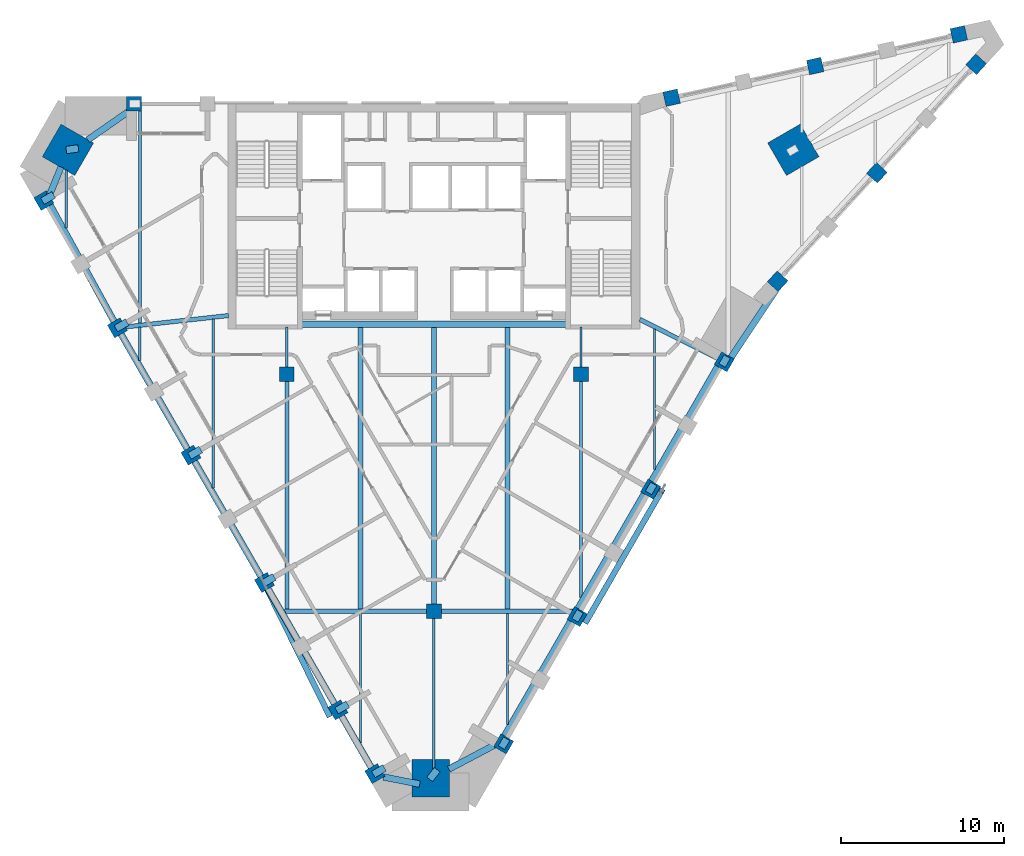
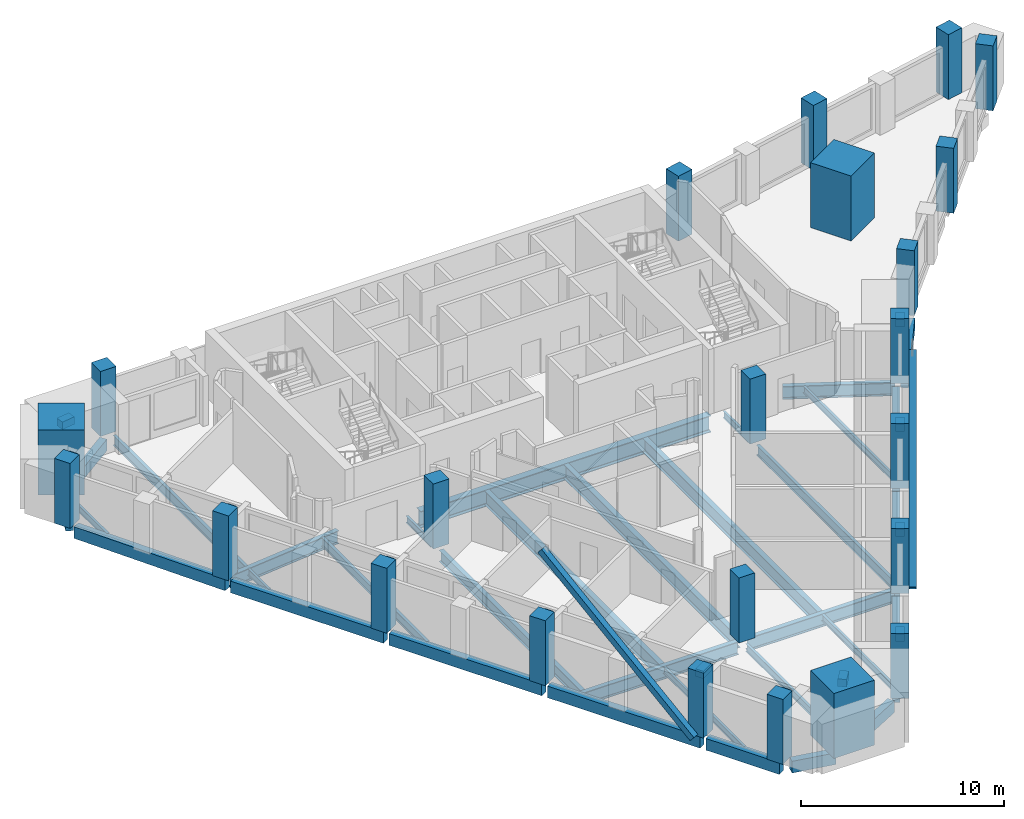
# One storey, part 1 of 9: 45 beams, 23 columns, 2 members.
"""IFC4 building model written with IfcOpenShell, lengths in metres."""

from ifc_helpers import new_model, si_unit, direction, frame, origin, origin_2d, place, context, subcontext, project, spatial, rectangle, hollow_rectangle, i_section, extrude, material, material_profile, profile_set, type_object, element, save


model = new_model("IFC4")

# Units and contexts
model_context = context("Model", 3, precision=1e-05, world=origin(), true_north=direction((0.0, 1.0)))
body_context = subcontext(model_context, "Body", "Model", "MODEL_VIEW")
ifc_project = project(units=[si_unit("LENGTHUNIT", "METRE"), si_unit("AREAUNIT", "SQUARE_METRE"), si_unit("VOLUMEUNIT", "CUBIC_METRE"), si_unit("PLANEANGLEUNIT", "RADIAN"), si_unit("MASSUNIT", "GRAM", prefix="KILO")], contexts=[model_context])

# Site, building, storey
site_placement = place(None, origin())
site = spatial("IfcSite", under=ifc_project, at=site_placement, CompositionType="ELEMENT")
building_placement = place(site_placement, origin())
building = spatial("IfcBuilding", under=site, at=building_placement, Name="Calabash Gate Tower", CompositionType="ELEMENT")
storey_placement = place(building_placement, frame((0.0, 0.0, 256.0)))
storey = spatial("IfcBuildingStorey", under=building, at=storey_placement, Name="L61", CompositionType="ELEMENT", Elevation=256.0)

# Columns
ifc_material_1 = material(Name="Concrete C60/75", Category="concrete")
ifc_material_profile_1 = material_profile(ifc_material_1, rectangle(XDim=0.89990234375, YDim=0.89990234375, at=origin_2d()))
ifc_profile_set_1 = profile_set([ifc_material_profile_1], Name="Concrete C60/75")
column_type_1 = type_object("IfcColumnType", Name="Interior column RC 900x900 Concrete C60/75", PredefinedType="COLUMN", material=ifc_profile_set_1)
for number, where, z_axis, x_axis, name in (
    (1, (-9.0, 2.5, 0.0), (0.0, 0.0, 1.0), (1.0, 0.0, 0.0), "Interior column L61 I0"),
    (2, (9.0, 2.5, 0.0), (0.0, 0.0, 1.0), (1.0, 0.0, 0.0), "Interior column L61 I1"),
    (3, (0.0, -12.0, 0.0), (0.0, 0.0, 1.0), (1.0, 0.0, 0.0), "Interior column L61 I2"),
):
    element("IfcColumn", number, at=place(storey_placement, frame(where, z_axis=z_axis, x_axis=x_axis)), inside=storey, type_object=column_type_1, Name=name, PredefinedType="COLUMN", context=body_context, shape_type="SweptSolid", body=[
        extrude(rectangle(XDim=0.89990234375, YDim=0.89990234375, at=origin_2d()), origin(), (0.0, 0.0, 1.0), 3.89990234375),
    ])
ifc_material_2 = material(Name="Concrete C60/75", Category="concrete")
ifc_material_profile_2 = material_profile(ifc_material_2, rectangle(XDim=2.300048828125, YDim=2.300048828125, at=origin_2d()))
ifc_profile_set_2 = profile_set([ifc_material_profile_2], Name="Concrete C60/75")
column_type_2 = type_object("IfcColumnType", Name="Mega column RC 2300x2300 Concrete C60/75", PredefinedType="COLUMN", material=ifc_profile_set_2)
for number, where, z_axis, x_axis, name in (
    (4, (-22.40087890625, 16.22998046875, 0.0), (0.0, 0.0, 1.0), (0.866025377604, -0.500000045345, 0.0), "Mega column L61 NW"),
    (5, (21.991943359375, 16.22998046875, 0.0), (0.0, 0.0, 1.0), (-0.866025377604, -0.500000045345, 0.0), "Mega column L61 NE"),
    (6, (-0.202880859375, -22.216064453125, 0.0), (0.0, 0.0, 1.0), (0.0, 1.0, 0.0), "Mega column L61 S"),
):
    element("IfcColumn", number, at=place(storey_placement, frame(where, z_axis=z_axis, x_axis=x_axis)), inside=storey, type_object=column_type_2, Name=name, PredefinedType="COLUMN", context=body_context, shape_type="SweptSolid", body=[
        extrude(rectangle(XDim=2.300048828125, YDim=2.300048828125, at=origin_2d()), origin(), (0.0, 0.0, 1.0), 3.89990234375),
    ])
ifc_material_3 = material(Name="Concrete C50/60", Category="concrete")
ifc_material_profile_3 = material_profile(ifc_material_3, rectangle(XDim=0.89990234375, YDim=0.89990234375, at=origin_2d()))
ifc_profile_set_3 = profile_set([ifc_material_profile_3], Name="Concrete C50/60")
column_type_3 = type_object("IfcColumnType", Name="Perimeter column RC 900x900 Concrete C50/60", PredefinedType="COLUMN", material=ifc_profile_set_3)
for number, where, z_axis, x_axis, name in (
    (7, (-23.873046875, 13.132080078125, 0.0), (0.0, 0.0, 1.0), (0.5, -0.866025403784, 0.0), "Perimeter column L61 P20"),
    (8, (-19.373046875, 5.337890625, 0.0), (0.0, 0.0, 1.0), (0.5, -0.866025403784, 0.0), "Perimeter column L61 P00"),
    (9, (-14.873046875, -2.4560546875, 0.0), (0.0, 0.0, 1.0), (0.5, -0.866025403784, 0.0), "Perimeter column L61 P01"),
    (10, (-10.373046875, -10.25, 0.0), (0.0, 0.0, 1.0), (0.5, -0.866025403784, 0.0), "Perimeter column L61 P02"),
    (11, (-5.873046875, -18.04296875, 0.0), (0.0, 0.0, 1.0), (0.5, -0.866025403784, 0.0), "Perimeter column L61 P03"),
    (12, (-3.623046875, -21.94189453125, 0.0), (0.0, 0.0, 1.0), (0.5, -0.866025403784, 0.0), "Perimeter column L61 P25"),
    (13, (4.262939453125, -20.1240234375, 0.0), (0.0, 0.0, 1.0), (0.5, 0.866025403784, 0.0), "Perimeter column L61 P08"),
    (14, (8.762939453125, -12.330078125, 0.0), (0.0, 0.0, 1.0), (0.5, 0.866025403784, 0.0), "Perimeter column L61 P09"),
    (15, (13.262939453125, -4.532958984375, 0.0), (0.0, 0.0, 1.0), (0.5, 0.866025403784, 0.0), "Perimeter column L61 P10"),
    (16, (17.762939453125, 3.259033203125, 0.0), (0.0, 0.0, 1.0), (0.5, 0.866025403784, 0.0), "Perimeter column L61 P11"),
    (17, (21.031005859375, 8.18701171875, 0.0), (0.0, 0.0, 1.0), (0.67485604152, 0.737949404244, 0.0), "Perimeter column L61 P12"),
    (18, (27.10400390625, 14.825927734375, 0.0), (0.0, 0.0, 1.0), (0.67485604152, 0.737949404244, 0.0), "Perimeter column L61 P36"),
    (19, (33.177978515625, 21.468017578125, 0.0), (0.0, 0.0, 1.0), (0.67485604152, 0.737949404244, 0.0), "Perimeter column L61 P37"),
    (20, (32.12109375, 23.298095703125, 0.0), (0.0, 0.0, 1.0), (-0.976510951543, -0.215467773731, 0.0), "Perimeter column L61 P38"),
    (21, (23.3330078125, 21.35888671875, 0.0), (0.0, 0.0, 1.0), (-0.976510951543, -0.215467773731, 0.0), "Perimeter column L61 P39"),
    (22, (14.5439453125, 19.4189453125, 0.0), (0.0, 0.0, 1.0), (-0.976510951543, -0.215467773731, 0.0), "Perimeter column L61 P40"),
    (23, (-18.35302734375, 19.052978515625, 0.0), (0.0, 0.0, 1.0), (-1.0, 0.0, 0.0), "Perimeter column L61 P31"),
):
    element("IfcColumn", number, at=place(storey_placement, frame(where, z_axis=z_axis, x_axis=x_axis)), inside=storey, type_object=column_type_3, Name=name, PredefinedType="COLUMN", context=body_context, shape_type="SweptSolid", body=[
        extrude(rectangle(XDim=0.89990234375, YDim=0.89990234375, at=origin_2d()), origin(), (0.0, 0.0, 1.0), 3.89990234375),
    ])

# Beams
ifc_material_4 = material(Name="Concrete C80/95", Category="concrete")
ifc_material_profile_4 = material_profile(ifc_material_4, rectangle(XDim=0.449951171875, YDim=0.449951171875, at=origin_2d()))
ifc_profile_set_4 = profile_set([ifc_material_profile_4], Name="Concrete C80/95")
beam_type_1 = type_object("IfcBeamType", Name="Column offset link RC 450x450 Concrete C80/95", PredefinedType="BEAM", material=ifc_profile_set_4)
beam_1_placement = place(storey_placement, frame((-22.5, 16.217041015625, 3.50390625), z_axis=(0.990065787797, 0.140604892639, 0.0), x_axis=(-0.140604892639, 0.990065787797, 0.0)))
element("IfcBeam", 24, at=beam_1_placement, inside=storey, type_object=beam_type_1, Name="Column offset link L61 NW", PredefinedType="BEAM", context=body_context, shape_type="SweptSolid", body=[
    extrude(rectangle(XDim=0.449951171875, YDim=0.449951171875, at=origin_2d()), origin(), (0.0, 0.0, 1.0), 0.753662109375),
])
for number, where, z_axis, x_axis, name in (
    (25, (-19.458984375, 5.2880859375, 3.50390625), (0.866072678707, 0.499918108492, 0.0), (-0.499918108492, 0.866072678707, 0.0), "Column offset link L61 P00"),
    (26, (-14.958984375, -2.506103515625, 3.50390625), (0.866072678707, 0.499918108492, 0.0), (-0.499918108492, 0.866072678707, 0.0), "Column offset link L61 P01"),
    (27, (-10.458984375, -10.300048828125, 3.50390625), (0.866072678707, 0.499918108492, 0.0), (-0.499918108492, 0.866072678707, 0.0), "Column offset link L61 P02"),
):
    element("IfcBeam", number, at=place(storey_placement, frame(where, z_axis=z_axis, x_axis=x_axis)), inside=storey, type_object=beam_type_1, Name=name, PredefinedType="BEAM", context=body_context, shape_type="SweptSolid", body=[
        extrude(rectangle(XDim=0.449951171875, YDim=0.449951171875, at=origin_2d()), origin(), (0.0, 0.0, 1.0), 0.792236328125),
    ])
beam_2_placement = place(storey_placement, frame((-5.958984375, -18.093017578125, 3.50390625), z_axis=(0.866606291963, 0.498992519714, 0.0), x_axis=(-0.498992519714, 0.866606291963, 0.0)))
element("IfcBeam", 28, at=beam_2_placement, inside=storey, type_object=beam_type_1, Name="Column offset link L61 P03", PredefinedType="BEAM", context=body_context, shape_type="SweptSolid", body=[
    extrude(rectangle(XDim=0.449951171875, YDim=0.449951171875, at=origin_2d()), origin(), (0.0, 0.0, 1.0), 0.791748046875),
])
beam_3_placement = place(storey_placement, frame((4.131103515625, -20.35205078125, 3.50390625), z_axis=(0.499554821267, 0.866282275329, 0.0), x_axis=(-0.866282275329, 0.499554821267, 0.0)))
element("IfcBeam", 29, at=beam_3_placement, inside=storey, type_object=beam_type_1, Name="Column offset link L61 P08", PredefinedType="BEAM", context=body_context, shape_type="SweptSolid", body=[
    extrude(rectangle(XDim=0.449951171875, YDim=0.449951171875, at=origin_2d()), origin(), (0.0, 0.0, 1.0), 0.63037109375),
])
for number, where, z_axis, x_axis, name in (
    (30, (8.631103515625, -12.556884765625, 3.50390625), (0.500393920955, 0.865797853931, 0.0), (-0.865797853931, 0.500393920955, 0.0), "Column offset link L61 P09"),
    (31, (13.131103515625, -4.762939453125, 3.50390625), (0.500393920955, 0.865797853931, 0.0), (-0.865797853931, 0.500393920955, 0.0), "Column offset link L61 P10"),
):
    element("IfcBeam", number, at=place(storey_placement, frame(where, z_axis=z_axis, x_axis=x_axis)), inside=storey, type_object=beam_type_1, Name=name, PredefinedType="BEAM", context=body_context, shape_type="SweptSolid", body=[
        extrude(rectangle(XDim=0.449951171875, YDim=0.449951171875, at=origin_2d()), origin(), (0.0, 0.0, 1.0), 0.62939453125),
    ])
beam_4_placement = place(storey_placement, frame((17.631103515625, 3.031005859375, 3.50390625), z_axis=(0.49972245349, 0.866185586049, 0.0), x_axis=(-0.866185586049, 0.49972245349, 0.0)))
element("IfcBeam", 32, at=beam_4_placement, inside=storey, type_object=beam_type_1, Name="Column offset link L61 P11", PredefinedType="BEAM", context=body_context, shape_type="SweptSolid", body=[
    extrude(rectangle(XDim=0.449951171875, YDim=0.449951171875, at=origin_2d()), origin(), (0.0, 0.0, 1.0), 0.630126953125),
])
beam_5_placement = place(storey_placement, frame((-23.958984375, 13.08203125, 3.50390625), z_axis=(0.865538736039, 0.500841987473, 0.0), x_axis=(-0.500841987473, 0.865538736039, 0.0)))
element("IfcBeam", 33, at=beam_5_placement, inside=storey, type_object=beam_type_1, Name="Column offset link L61 P20", PredefinedType="BEAM", context=body_context, shape_type="SweptSolid", body=[
    extrude(rectangle(XDim=0.449951171875, YDim=0.449951171875, at=origin_2d()), origin(), (0.0, 0.0, 1.0), 0.792724609375),
])
beam_6_placement = place(storey_placement, frame((-3.708984375, -21.991943359375, 3.50390625), z_axis=(0.86446987947, 0.502684620304, 0.0), x_axis=(-0.502684620304, 0.86446987947, 0.0)))
element("IfcBeam", 34, at=beam_6_placement, inside=storey, type_object=beam_type_1, Name="Column offset link L61 P25", PredefinedType="BEAM", context=body_context, shape_type="SweptSolid", body=[
    extrude(rectangle(XDim=0.449951171875, YDim=0.449951171875, at=origin_2d()), origin(), (0.0, 0.0, 1.0), 0.793701171875),
])
beam_7_placement = place(storey_placement, frame((-0.26708984375, -22.29296875, 3.50390625), z_axis=(0.619181458335, 0.785247936422, 0.0), x_axis=(-0.785247936422, 0.619181458335, 0.0)))
element("IfcBeam", 35, at=beam_7_placement, inside=storey, type_object=beam_type_1, Name="Column offset link L61 S", PredefinedType="BEAM", context=body_context, shape_type="SweptSolid", body=[
    extrude(rectangle(XDim=0.449951171875, YDim=0.449951171875, at=origin_2d()), origin(), (0.0, 0.0, 1.0), 0.752685546875),
])
ifc_material_5 = material(Name="Concrete C50/60", Category="concrete")
ifc_material_profile_5 = material_profile(ifc_material_5, rectangle(XDim=0.39990234375, YDim=0.699951171875, at=origin_2d()))
ifc_profile_set_5 = profile_set([ifc_material_profile_5], Name="Concrete C50/60")
beam_type_2 = type_object("IfcBeamType", Name="Edge beam RC 400x700 Concrete C50/60", PredefinedType="BEAM", material=ifc_profile_set_5)
beam_8_placement = place(storey_placement, frame((-14.657958984375, -2.827880859375, -0.52001953125), z_axis=(0.499941762793, -0.866059024441, 0.0), x_axis=(0.866059024441, 0.499941762793, 0.0)))
element("IfcBeam", 36, at=beam_8_placement, inside=storey, type_object=beam_type_2, Name="Edge beam L61 1", PredefinedType="BEAM", context=body_context, shape_type="SweptSolid", body=[
    extrude(rectangle(XDim=0.39990234375, YDim=0.699951171875, at=origin_2d()), origin(), (0.0, 0.0, 1.0), 8.6728515625),
])
beam_9_placement = place(storey_placement, frame((-10.157958984375, -10.623046875, -0.52001953125), z_axis=(0.500002710516, -0.866023838862, 0.0), x_axis=(0.866023838862, 0.500002710516, 0.0)))
element("IfcBeam", 37, at=beam_9_placement, inside=storey, type_object=beam_type_2, Name="Edge beam L61 2", PredefinedType="BEAM", context=body_context, shape_type="SweptSolid", body=[
    extrude(rectangle(XDim=0.39990234375, YDim=0.699951171875, at=origin_2d()), origin(), (0.0, 0.0, 1.0), 8.671875),
])
beam_10_placement = place(storey_placement, frame((-5.657958984375, -18.4169921875, -0.52001953125), z_axis=(0.499990930889, -0.866030639775, 0.0), x_axis=(0.866030639775, 0.499990930889, 0.0)))
element("IfcBeam", 38, at=beam_10_placement, inside=storey, type_object=beam_type_2, Name="Edge beam L61 3", PredefinedType="BEAM", context=body_context, shape_type="SweptSolid", body=[
    extrude(rectangle(XDim=0.39990234375, YDim=0.699951171875, at=origin_2d()), origin(), (0.0, 0.0, 1.0), 4.171875),
])
beam_11_placement = place(storey_placement, frame((-3.10009765625, -22.14599609375, -0.52001953125), z_axis=(0.981220485855, -0.192889497219, 0.0), x_axis=(0.192889497219, 0.981220485855, 0.0)))
element("IfcBeam", 39, at=beam_11_placement, inside=storey, type_object=beam_type_2, Name="Edge beam L61 4", PredefinedType="BEAM", context=body_context, shape_type="SweptSolid", body=[
    extrude(rectangle(XDim=0.39990234375, YDim=0.699951171875, at=origin_2d()), origin(), (0.0, 0.0, 1.0), 2.270751953125),
])
beam_12_placement = place(storey_placement, frame((0.909912109375, -21.669921875, -0.52001953125), z_axis=(0.884115260919, 0.467268879137, 0.0), x_axis=(-0.467268879137, 0.884115260919, 0.0)))
element("IfcBeam", 40, at=beam_12_placement, inside=storey, type_object=beam_type_2, Name="Edge beam L61 5", PredefinedType="BEAM", context=body_context, shape_type="SweptSolid", body=[
    extrude(rectangle(XDim=0.39990234375, YDim=0.699951171875, at=origin_2d()), origin(), (0.0, 0.0, 1.0), 3.19091796875),
])
beam_13_placement = place(storey_placement, frame((4.31689453125, -19.634033203125, -0.52001953125), z_axis=(0.499986829629, 0.866033007568, 0.0), x_axis=(-0.866033007568, 0.499986829629, 0.0)))
element("IfcBeam", 41, at=beam_13_placement, inside=storey, type_object=beam_type_2, Name="Edge beam L61 6", PredefinedType="BEAM", context=body_context, shape_type="SweptSolid", body=[
    extrude(rectangle(XDim=0.39990234375, YDim=0.699951171875, at=origin_2d()), origin(), (0.0, 0.0, 1.0), 8.100341796875),
])
beam_14_placement = place(storey_placement, frame((8.81689453125, -11.840087890625, -0.52001953125), z_axis=(0.499882442781, 0.866093264839, 0.0), x_axis=(-0.866093264839, 0.499882442781, 0.0)))
element("IfcBeam", 42, at=beam_14_placement, inside=storey, type_object=beam_type_2, Name="Edge beam L61 7", PredefinedType="BEAM", context=body_context, shape_type="SweptSolid", body=[
    extrude(rectangle(XDim=0.39990234375, YDim=0.699951171875, at=origin_2d()), origin(), (0.0, 0.0, 1.0), 8.10205078125),
])
beam_15_placement = place(storey_placement, frame((13.31689453125, -4.0458984375, -0.52001953125), z_axis=(0.499999880539, 0.866025472755, 0.0), x_axis=(-0.866025472755, 0.499999880539, 0.0)))
element("IfcBeam", 43, at=beam_15_placement, inside=storey, type_object=beam_type_2, Name="Edge beam L61 8", PredefinedType="BEAM", context=body_context, shape_type="SweptSolid", body=[
    extrude(rectangle(XDim=0.39990234375, YDim=0.699951171875, at=origin_2d()), origin(), (0.0, 0.0, 1.0), 8.10009765625),
])
beam_16_placement = place(storey_placement, frame((18.174072265625, 3.51611328125, -0.52001953125), z_axis=(0.552996304817, 0.833183705349, 0.0), x_axis=(-0.833183705349, 0.552996304817, 0.0)))
element("IfcBeam", 44, at=beam_16_placement, inside=storey, type_object=beam_type_2, Name="Edge beam L61 9", PredefinedType="BEAM", context=body_context, shape_type="SweptSolid", body=[
    extrude(rectangle(XDim=0.39990234375, YDim=0.699951171875, at=origin_2d()), origin(), (0.0, 0.0, 1.0), 4.996337890625),
])
beam_17_placement = place(storey_placement, frame((-18.6259765625, 18.62109375, -0.52001953125), z_axis=(-0.820584107688, -0.571525784379, 0.0), x_axis=(0.571525784379, -0.820584107688, 0.0)))
element("IfcBeam", 45, at=beam_17_placement, inside=storey, type_object=beam_type_2, Name="Edge beam L61 16", PredefinedType="BEAM", context=body_context, shape_type="SweptSolid", body=[
    extrude(rectangle(XDim=0.39990234375, YDim=0.699951171875, at=origin_2d()), origin(), (0.0, 0.0, 1.0), 3.1162109375),
])
beam_18_placement = place(storey_placement, frame((-22.821044921875, 15.177001953125, -0.52001953125), z_axis=(-0.37851203494, -0.925596369594, 0.0), x_axis=(0.925596369594, -0.37851203494, 0.0)))
element("IfcBeam", 46, at=beam_18_placement, inside=storey, type_object=beam_type_2, Name="Edge beam L61 17", PredefinedType="BEAM", context=body_context, shape_type="SweptSolid", body=[
    extrude(rectangle(XDim=0.39990234375, YDim=0.699951171875, at=origin_2d()), origin(), (0.0, 0.0, 1.0), 1.888671875),
])
beam_19_placement = place(storey_placement, frame((-23.493896484375, 12.85693359375, -0.52001953125), z_axis=(0.481451483575, -0.876472742853, 0.0), x_axis=(0.876472742853, 0.481451483575, 0.0)))
element("IfcBeam", 47, at=beam_19_placement, inside=storey, type_object=beam_type_2, Name="Edge beam L61 18", PredefinedType="BEAM", context=body_context, shape_type="SweptSolid", body=[
    extrude(rectangle(XDim=0.39990234375, YDim=0.699951171875, at=origin_2d()), origin(), (0.0, 0.0, 1.0), 8.68603515625),
])
beam_20_placement = place(storey_placement, frame((-19.157958984375, 4.966064453125, -0.52001953125), z_axis=(0.500051477612, -0.865995681132, 0.0), x_axis=(0.865995681132, 0.500051477612, 0.0)))
element("IfcBeam", 48, at=beam_20_placement, inside=storey, type_object=beam_type_2, Name="Edge beam L61 19", PredefinedType="BEAM", context=body_context, shape_type="SweptSolid", body=[
    extrude(rectangle(XDim=0.39990234375, YDim=0.699951171875, at=origin_2d()), origin(), (0.0, 0.0, 1.0), 8.6708984375),
])
ifc_material_6 = material(Name="Steel ASTM A992 Gr50", Category="steel")
ifc_material_profile_6 = material_profile(ifc_material_6, i_section(OverallWidth=0.1396484375, OverallDepth=0.398681640625, WebThickness=0.00634765625, FlangeThickness=0.0087890625, FilletRadius=0.01025390625, at=origin_2d()))
ifc_profile_set_6 = profile_set([ifc_material_profile_6], Name="Steel ASTM A992 Gr50")
beam_type_3 = type_object("IfcBeamType", Name="Floor beam W16x26 ASTM A992 Gr50", PredefinedType="BEAM", material=ifc_profile_set_6)
beam_21_placement = place(storey_placement, frame((-22.5, 11.431884765625, -0.368896484375), z_axis=(0.0, 1.0, 0.0), x_axis=(-1.0, 0.0, 0.0)))
element("IfcBeam", 49, at=beam_21_placement, inside=storey, type_object=beam_type_3, Name="Floor beam L61 1", PredefinedType="BEAM", context=body_context, shape_type="SweptSolid", body=[
    extrude(i_section(OverallWidth=0.1396484375, OverallDepth=0.398681640625, WebThickness=0.00634765625, FlangeThickness=0.0087890625, FilletRadius=0.01025390625, at=origin_2d()), origin(), (0.0, 0.0, 1.0), 3.550048828125),
])
beam_22_placement = place(storey_placement, frame((-18.0, 3.327880859375, -0.368896484375), z_axis=(0.0, 1.0, 0.0), x_axis=(-1.0, 0.0, 0.0)))
element("IfcBeam", 50, at=beam_22_placement, inside=storey, type_object=beam_type_3, Name="Floor beam L61 2", PredefinedType="BEAM", context=body_context, shape_type="SweptSolid", body=[
    extrude(i_section(OverallWidth=0.1396484375, OverallDepth=0.398681640625, WebThickness=0.00634765625, FlangeThickness=0.0087890625, FilletRadius=0.01025390625, at=origin_2d()), origin(), (0.0, 0.0, 1.0), 2.050048828125),
])
beam_23_placement = place(storey_placement, frame((-9.0, 2.949951171875, -0.368896484375), z_axis=(0.0, 1.0, 0.0), x_axis=(-1.0, 0.0, 0.0)))
element("IfcBeam", 51, at=beam_23_placement, inside=storey, type_object=beam_type_3, Name="Floor beam L61 6", PredefinedType="BEAM", context=body_context, shape_type="SweptSolid", body=[
    extrude(i_section(OverallWidth=0.1396484375, OverallDepth=0.398681640625, WebThickness=0.00634765625, FlangeThickness=0.0087890625, FilletRadius=0.01025390625, at=origin_2d()), origin(), (0.0, 0.0, 1.0), 2.453125),
])
beam_24_placement = place(storey_placement, frame((-4.5, -20.053955078125, -0.368896484375), z_axis=(0.0, 1.0, 0.0), x_axis=(-1.0, 0.0, 0.0)))
element("IfcBeam", 52, at=beam_24_placement, inside=storey, type_object=beam_type_3, Name="Floor beam L61 7", PredefinedType="BEAM", context=body_context, shape_type="SweptSolid", body=[
    extrude(i_section(OverallWidth=0.1396484375, OverallDepth=0.398681640625, WebThickness=0.00634765625, FlangeThickness=0.0087890625, FilletRadius=0.01025390625, at=origin_2d()), origin(), (0.0, 0.0, 1.0), 7.9208984375),
])
beam_25_placement = place(storey_placement, frame((4.5, -18.943115234375, -0.368896484375), z_axis=(0.0, 1.0, 0.0), x_axis=(-1.0, 0.0, 0.0)))
element("IfcBeam", 53, at=beam_25_placement, inside=storey, type_object=beam_type_3, Name="Floor beam L61 11", PredefinedType="BEAM", context=body_context, shape_type="SweptSolid", body=[
    extrude(i_section(OverallWidth=0.1396484375, OverallDepth=0.398681640625, WebThickness=0.00634765625, FlangeThickness=0.0087890625, FilletRadius=0.01025390625, at=origin_2d()), origin(), (0.0, 0.0, 1.0), 6.81005859375),
])
beam_26_placement = place(storey_placement, frame((9.0, 2.949951171875, -0.368896484375), z_axis=(0.0, 1.0, 0.0), x_axis=(-1.0, 0.0, 0.0)))
element("IfcBeam", 54, at=beam_26_placement, inside=storey, type_object=beam_type_3, Name="Floor beam L61 14", PredefinedType="BEAM", context=body_context, shape_type="SweptSolid", body=[
    extrude(i_section(OverallWidth=0.1396484375, OverallDepth=0.398681640625, WebThickness=0.00634765625, FlangeThickness=0.0087890625, FilletRadius=0.01025390625, at=origin_2d()), origin(), (0.0, 0.0, 1.0), 2.453125),
])
beam_27_placement = place(storey_placement, frame((13.5, -3.3369140625, -0.368896484375), z_axis=(0.0, 1.0, 0.0), x_axis=(-1.0, 0.0, 0.0)))
element("IfcBeam", 55, at=beam_27_placement, inside=storey, type_object=beam_type_3, Name="Floor beam L61 15", PredefinedType="BEAM", context=body_context, shape_type="SweptSolid", body=[
    extrude(i_section(OverallWidth=0.1396484375, OverallDepth=0.398681640625, WebThickness=0.00634765625, FlangeThickness=0.0087890625, FilletRadius=0.01025390625, at=origin_2d()), origin(), (0.0, 0.0, 1.0), 8.60888671875),
])
ifc_material_7 = material(Name="Steel ASTM A992 Gr50", Category="steel")
ifc_material_profile_7 = material_profile(ifc_material_7, i_section(OverallWidth=0.15234375, OverallDepth=0.44970703125, WebThickness=0.007568359375, FlangeThickness=0.0107421875, FilletRadius=0.01025390625, at=origin_2d()))
ifc_profile_set_7 = profile_set([ifc_material_profile_7], Name="Steel ASTM A992 Gr50")
beam_type_4 = type_object("IfcBeamType", Name="Floor beam W18x35 ASTM A992 Gr50", PredefinedType="BEAM", material=ifc_profile_set_7)
beam_28_placement = place(storey_placement, frame((0.0, -21.677978515625, -0.39306640625), z_axis=(0.0, 1.0, 0.0), x_axis=(-1.0, 0.0, 0.0)))
element("IfcBeam", 56, at=beam_28_placement, inside=storey, type_object=beam_type_4, Name="Floor beam L61 9", PredefinedType="BEAM", context=body_context, shape_type="SweptSolid", body=[
    extrude(i_section(OverallWidth=0.15234375, OverallDepth=0.44970703125, WebThickness=0.007568359375, FlangeThickness=0.0107421875, FilletRadius=0.01025390625, at=origin_2d()), origin(), (0.0, 0.0, 1.0), 9.22802734375),
])
ifc_material_8 = material(Name="Steel ASTM A992 Gr50", Category="steel")
ifc_material_profile_8 = material_profile(ifc_material_8, i_section(OverallWidth=0.166015625, OverallDepth=0.5283203125, WebThickness=0.009765625, FlangeThickness=0.013671875, FilletRadius=0.0126953125, at=origin_2d()))
ifc_profile_set_8 = profile_set([ifc_material_profile_8], Name="Steel ASTM A992 Gr50")
beam_type_5 = type_object("IfcBeamType", Name="Floor beam W21x50 ASTM A992 Gr50", PredefinedType="BEAM", material=ifc_profile_set_8)
beam_29_placement = place(storey_placement, frame((-13.5, -4.466064453125, -0.43408203125), z_axis=(0.0, 1.0, 0.0), x_axis=(-1.0, 0.0, 0.0)))
element("IfcBeam", 57, at=beam_29_placement, inside=storey, type_object=beam_type_5, Name="Floor beam L61 4", PredefinedType="BEAM", context=body_context, shape_type="SweptSolid", body=[
    extrude(i_section(OverallWidth=0.166015625, OverallDepth=0.5283203125, WebThickness=0.009765625, FlangeThickness=0.013671875, FilletRadius=0.0126953125, at=origin_2d()), origin(), (0.0, 0.0, 1.0), 10.343017578125),
])
ifc_material_9 = material(Name="Steel ASTM A992 Gr50", Category="steel")
ifc_material_profile_9 = material_profile(ifc_material_9, i_section(OverallWidth=0.1787109375, OverallDepth=0.60205078125, WebThickness=0.010986328125, FlangeThickness=0.014892578125, FilletRadius=0.0126953125, at=origin_2d()))
ifc_profile_set_9 = profile_set([ifc_material_profile_9], Name="Steel ASTM A992 Gr50")
beam_type_6 = type_object("IfcBeamType", Name="Floor beam W24x62 ASTM A992 Gr50", PredefinedType="BEAM", material=ifc_profile_set_9)
beam_30_placement = place(storey_placement, frame((-18.0, 5.60205078125, -0.470947265625), z_axis=(0.0, 1.0, 0.0), x_axis=(-1.0, 0.0, 0.0)))
element("IfcBeam", 58, at=beam_30_placement, inside=storey, type_object=beam_type_6, Name="Floor beam L61 3", PredefinedType="BEAM", context=body_context, shape_type="SweptSolid", body=[
    extrude(i_section(OverallWidth=0.1787109375, OverallDepth=0.60205078125, WebThickness=0.010986328125, FlangeThickness=0.014892578125, FilletRadius=0.0126953125, at=origin_2d()), origin(), (0.0, 0.0, 1.0), 13.0009765625),
])
beam_31_placement = place(storey_placement, frame((9.0, -11.15087890625, -0.470947265625), z_axis=(0.0, 1.0, 0.0), x_axis=(-1.0, 0.0, 0.0)))
element("IfcBeam", 59, at=beam_31_placement, inside=storey, type_object=beam_type_6, Name="Floor beam L61 13", PredefinedType="BEAM", context=body_context, shape_type="SweptSolid", body=[
    extrude(i_section(OverallWidth=0.1787109375, OverallDepth=0.60205078125, WebThickness=0.010986328125, FlangeThickness=0.014892578125, FilletRadius=0.0126953125, at=origin_2d()), origin(), (0.0, 0.0, 1.0), 13.200927734375),
])
ifc_material_10 = material(Name="Steel ASTM A992 Gr50", Category="steel")
ifc_material_profile_10 = material_profile(ifc_material_10, i_section(OverallWidth=0.25390625, OverallDepth=0.67822265625, WebThickness=0.01171875, FlangeThickness=0.016357421875, FilletRadius=0.01513671875, at=origin_2d()))
ifc_profile_set_10 = profile_set([ifc_material_profile_10], Name="Steel ASTM A992 Gr50")
beam_type_7 = type_object("IfcBeamType", Name="Floor beam W27x84 ASTM A992 Gr50", PredefinedType="BEAM", material=ifc_profile_set_10)
beam_32_placement = place(storey_placement, frame((-9.0, -11.8798828125, -0.509033203125), z_axis=(0.0, 1.0, 0.0), x_axis=(-1.0, 0.0, 0.0)))
element("IfcBeam", 60, at=beam_32_placement, inside=storey, type_object=beam_type_7, Name="Floor beam L61 5", PredefinedType="BEAM", context=body_context, shape_type="SweptSolid", body=[
    extrude(i_section(OverallWidth=0.25390625, OverallDepth=0.67822265625, WebThickness=0.01171875, FlangeThickness=0.016357421875, FilletRadius=0.01513671875, at=origin_2d()), origin(), (0.0, 0.0, 1.0), 13.929931640625),
])
ifc_material_11 = material(Name="Steel ASTM A992 Gr50", Category="steel")
ifc_material_profile_11 = material_profile(ifc_material_11, i_section(OverallWidth=0.2919921875, OverallDepth=0.845703125, WebThickness=0.015380859375, FlangeThickness=0.0244140625, FilletRadius=0.017822265625, at=origin_2d()))
ifc_profile_set_11 = profile_set([ifc_material_profile_11], Name="Steel ASTM A992 Gr50")
beam_type_8 = type_object("IfcBeamType", Name="Floor beam W33x141 ASTM A992 Gr50", PredefinedType="BEAM", material=ifc_profile_set_11)
beam_33_placement = place(storey_placement, frame((-4.5, -11.866943359375, -0.593017578125), z_axis=(0.0, 1.0, 0.0), x_axis=(-1.0, 0.0, 0.0)))
element("IfcBeam", 61, at=beam_33_placement, inside=storey, type_object=beam_type_8, Name="Floor beam L61 8", PredefinedType="BEAM", context=body_context, shape_type="SweptSolid", body=[
    extrude(i_section(OverallWidth=0.2919921875, OverallDepth=0.845703125, WebThickness=0.015380859375, FlangeThickness=0.0244140625, FilletRadius=0.017822265625, at=origin_2d()), origin(), (0.0, 0.0, 1.0), 17.218994140625),
])
beam_34_placement = place(storey_placement, frame((0.0, -11.550048828125, -0.593017578125), z_axis=(0.0, 1.0, 0.0), x_axis=(-1.0, 0.0, 0.0)))
element("IfcBeam", 62, at=beam_34_placement, inside=storey, type_object=beam_type_8, Name="Floor beam L61 10", PredefinedType="BEAM", context=body_context, shape_type="SweptSolid", body=[
    extrude(i_section(OverallWidth=0.2919921875, OverallDepth=0.845703125, WebThickness=0.015380859375, FlangeThickness=0.0244140625, FilletRadius=0.017822265625, at=origin_2d()), origin(), (0.0, 0.0, 1.0), 16.902099609375),
])
beam_35_placement = place(storey_placement, frame((4.5, -11.866943359375, -0.593017578125), z_axis=(0.0, 1.0, 0.0), x_axis=(-1.0, 0.0, 0.0)))
element("IfcBeam", 63, at=beam_35_placement, inside=storey, type_object=beam_type_8, Name="Floor beam L61 12", PredefinedType="BEAM", context=body_context, shape_type="SweptSolid", body=[
    extrude(i_section(OverallWidth=0.2919921875, OverallDepth=0.845703125, WebThickness=0.015380859375, FlangeThickness=0.0244140625, FilletRadius=0.017822265625, at=origin_2d()), origin(), (0.0, 0.0, 1.0), 17.218994140625),
])
ifc_material_12 = material(Name="Steel ASTM A992 Gr50", Category="steel")
ifc_material_profile_12 = material_profile(ifc_material_12, i_section(OverallWidth=0.2666015625, OverallDepth=0.77978515625, WebThickness=0.0166015625, FlangeThickness=0.030029296875, FilletRadius=0.0166015625, at=origin_2d()))
ifc_profile_set_12 = profile_set([ifc_material_profile_12], Name="Steel ASTM A992 Gr50")
beam_type_9 = type_object("IfcBeamType", Name="Girder W30x148 ASTM A992 Gr50", PredefinedType="BEAM", material=ifc_profile_set_12)
beam_36_placement = place(storey_placement, frame((-19.0830078125, 5.3701171875, -0.56005859375), z_axis=(0.993948970535, 0.109842814844, 0.0), x_axis=(-0.109842814844, 0.993948970535, 0.0)))
element("IfcBeam", 64, at=beam_36_placement, inside=storey, type_object=beam_type_9, Name="Girder L61 2", PredefinedType="BEAM", context=body_context, shape_type="SweptSolid", body=[
    extrude(i_section(OverallWidth=0.2666015625, OverallDepth=0.77978515625, WebThickness=0.0166015625, FlangeThickness=0.030029296875, FilletRadius=0.0166015625, at=origin_2d()), origin(), (0.0, 0.0, 1.0), 6.554443359375),
])
beam_37_placement = place(storey_placement, frame((17.541015625, 3.37109375, -0.56005859375), z_axis=(-0.893711114491, 0.448642891211, 0.0), x_axis=(-0.448642891211, -0.893711114491, 0.0)))
element("IfcBeam", 65, at=beam_37_placement, inside=storey, type_object=beam_type_9, Name="Girder L61 3", PredefinedType="BEAM", context=body_context, shape_type="SweptSolid", body=[
    extrude(i_section(OverallWidth=0.2666015625, OverallDepth=0.77978515625, WebThickness=0.0166015625, FlangeThickness=0.030029296875, FilletRadius=0.0166015625, at=origin_2d()), origin(), (0.0, 0.0, 1.0), 5.531982421875),
])
beam_38_placement = place(storey_placement, frame((-9.153076171875, -12.0, -0.56005859375), z_axis=(1.0, 0.0, 0.0), x_axis=(0.0, 1.0, 0.0)))
element("IfcBeam", 66, at=beam_38_placement, inside=storey, type_object=beam_type_9, Name="Girder L61 4", PredefinedType="BEAM", context=body_context, shape_type="SweptSolid", body=[
    extrude(i_section(OverallWidth=0.2666015625, OverallDepth=0.77978515625, WebThickness=0.0166015625, FlangeThickness=0.030029296875, FilletRadius=0.0166015625, at=origin_2d()), origin(), (0.0, 0.0, 1.0), 8.883056640625),
])
beam_39_placement = place(storey_placement, frame((0.27001953125, -12.0, -0.56005859375), z_axis=(1.0, 0.0, 0.0), x_axis=(0.0, 1.0, 0.0)))
element("IfcBeam", 67, at=beam_39_placement, inside=storey, type_object=beam_type_9, Name="Girder L61 5", PredefinedType="BEAM", context=body_context, shape_type="SweptSolid", body=[
    extrude(i_section(OverallWidth=0.2666015625, OverallDepth=0.77978515625, WebThickness=0.0166015625, FlangeThickness=0.030029296875, FilletRadius=0.0166015625, at=origin_2d()), origin(), (0.0, 0.0, 1.0), 8.3759765625),
])
ifc_material_13 = material(Name="Steel ASTM A992 Gr50", Category="steel")
ifc_material_profile_13 = material_profile(ifc_material_13, i_section(OverallWidth=0.4013671875, OverallDepth=1.000732421875, WebThickness=0.01904296875, FlangeThickness=0.0361328125, FilletRadius=0.030029296875, at=origin_2d()))
ifc_profile_set_13 = profile_set([ifc_material_profile_13], Name="Steel ASTM A992 Gr50")
beam_type_10 = type_object("IfcBeamType", Name="Girder W40x249 ASTM A992 Gr50", PredefinedType="BEAM", material=ifc_profile_set_13)
beam_40_placement = place(storey_placement, frame((-8.25, 5.552978515625, -0.669921875), z_axis=(1.0, 0.0, 0.0), x_axis=(0.0, 1.0, 0.0)))
element("IfcBeam", 68, at=beam_40_placement, inside=storey, type_object=beam_type_10, Name="Girder L61 1", PredefinedType="BEAM", context=body_context, shape_type="SweptSolid", body=[
    extrude(i_section(OverallWidth=0.4013671875, OverallDepth=1.000732421875, WebThickness=0.01904296875, FlangeThickness=0.0361328125, FilletRadius=0.030029296875, at=origin_2d()), origin(), (0.0, 0.0, 1.0), 16.5),
])

# Members
ifc_material_14 = material(Name="Steel ASTM A500 Gr C", Category="steel")
ifc_material_profile_14 = material_profile(ifc_material_14, hollow_rectangle(XDim=0.355712890625, YDim=0.355712890625, WallThickness=0.015869140625, at=origin_2d()))
ifc_profile_set_14 = profile_set([ifc_material_profile_14], Name="Steel ASTM A500 Gr C")
member_type = type_object("IfcMemberType", Name="Mega-brace HSS14X14X.625 ASTM A500 Gr C", PredefinedType="BRACE", material=ifc_profile_set_14)
member_1_placement = place(storey_placement, frame((-6.41650390625, -18.358642578125, 0.0), z_axis=(-0.334339198388, 0.678485406943, 0.654121435964), x_axis=(-0.897005266022, -0.442019855582, 0.0)))
element("IfcMember", 69, at=member_1_placement, inside=storey, type_object=member_type, Name="Mega-brace SW Z5 38", PredefinedType="BRACE", context=body_context, shape_type="SweptSolid", body=[
    extrude(hollow_rectangle(XDim=0.355712890625, YDim=0.355712890625, WallThickness=0.015869140625, at=origin_2d()), origin(), (0.0, 0.0, 1.0), 11.924560546875),
])
member_2_placement = place(storey_placement, frame((9.306640625, -12.643310546875, 0.0), z_axis=(0.382536230658, 0.662560249444, 0.643956479967), x_axis=(-0.866021502836, 0.500006756581, 0.0)))
element("IfcMember", 70, at=member_2_placement, inside=storey, type_object=member_type, Name="Mega-brace SE Z5 43", PredefinedType="BRACE", context=body_context, shape_type="SweptSolid", body=[
    extrude(hollow_rectangle(XDim=0.355712890625, YDim=0.355712890625, WallThickness=0.015869140625, at=origin_2d()), origin(), (0.0, 0.0, 1.0), 12.11279296875),
])

save(model, "model.ifc")
